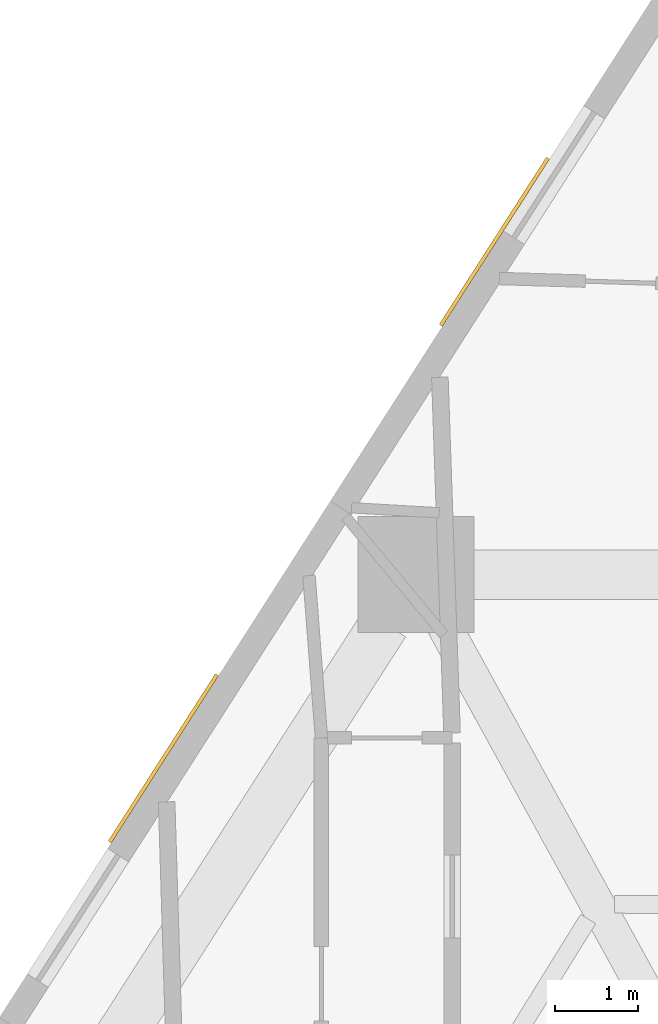
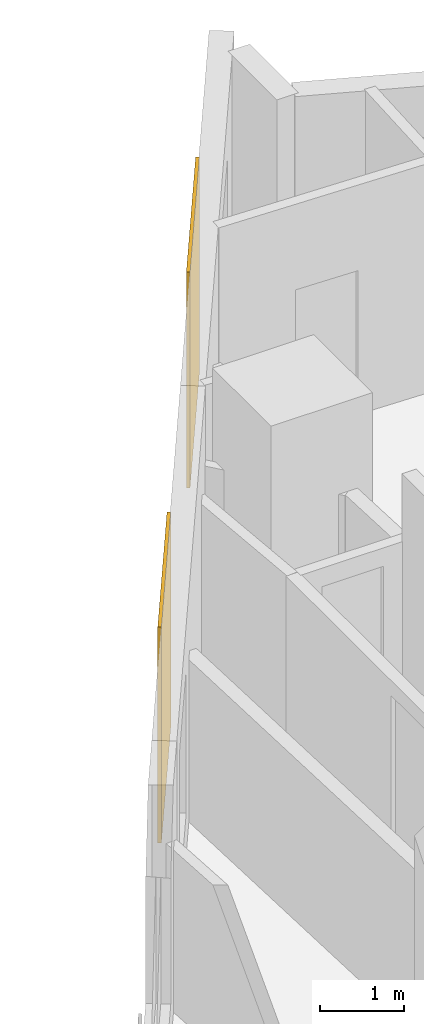
# One storey, part 13 of 13: 2 coverings.
"""IFC4 building model written with IfcOpenShell, lengths in metres."""

from ifc_helpers import new_model, si_unit, direction, frame, origin, origin_2d, place, context, subcontext, project, spatial, rectangle, extrude, material, layer, layer_set, type_object, element, save


model = new_model("IFC4")

# Units and contexts
model_context = context("Model", 3, precision=1e-05, world=origin(), true_north=direction((0.0, 1.0)))
body_context = subcontext(model_context, "Body", "Model", "MODEL_VIEW")
ifc_project = project(units=[si_unit("LENGTHUNIT", "METRE"), si_unit("AREAUNIT", "SQUARE_METRE"), si_unit("VOLUMEUNIT", "CUBIC_METRE"), si_unit("PLANEANGLEUNIT", "RADIAN"), si_unit("MASSUNIT", "GRAM", prefix="KILO")], contexts=[model_context])

# Site, building, storey
site_placement = place(None, origin())
site = spatial("IfcSite", under=ifc_project, at=site_placement, CompositionType="ELEMENT")
building_placement = place(site_placement, origin())
building = spatial("IfcBuilding", under=site, at=building_placement, Name="Almagre Mirador Tower", CompositionType="ELEMENT")
storey_placement = place(building_placement, frame((0.0, 0.0, 42.60009765625)))
storey = spatial("IfcBuildingStorey", under=building, at=storey_placement, Name="L09", CompositionType="ELEMENT", Elevation=42.60009765625)

# Coverings
ifc_material = material(Name="Almagre terracotta architectural cladding", Category="masonry")
ifc_layer = layer(ifc_material, 0.044921875)
ifc_layer_set = layer_set([ifc_layer], Name="Almagre terracotta architectural cladding")
covering_type = type_object("IfcCoveringType", Name="COV-CLAD-ALMAGRE", PredefinedType="CLADDING", material=ifc_layer_set)
for number, where, z_axis, x_axis, name in (
    (1, (27.05078125, 37.15478515625, 0.099853515625), (0.0, 0.0, 1.0), (0.539535148555, 0.841963077263, 0.0), "L09 almagre terracotta pier cladding"),
    (2, (31.04931640625, 43.39501953125, 0.099853515625), (0.0, 0.0, 1.0), (0.539520453445, 0.841972493799, 0.0), "L09 almagre terracotta pier cladding"),
):
    element("IfcCovering", number, at=place(storey_placement, frame(where, z_axis=z_axis, x_axis=x_axis)), inside=storey, type_object=covering_type, Name=name, PredefinedType="CLADDING", context=body_context, shape_type="SweptSolid", body=[
        extrude(rectangle(XDim=2.39990234375, YDim=0.044921875, at=origin_2d()), origin(), (0.0, 0.0, 1.0), 3.14990234375),
    ])

save(model, "model.ifc")
